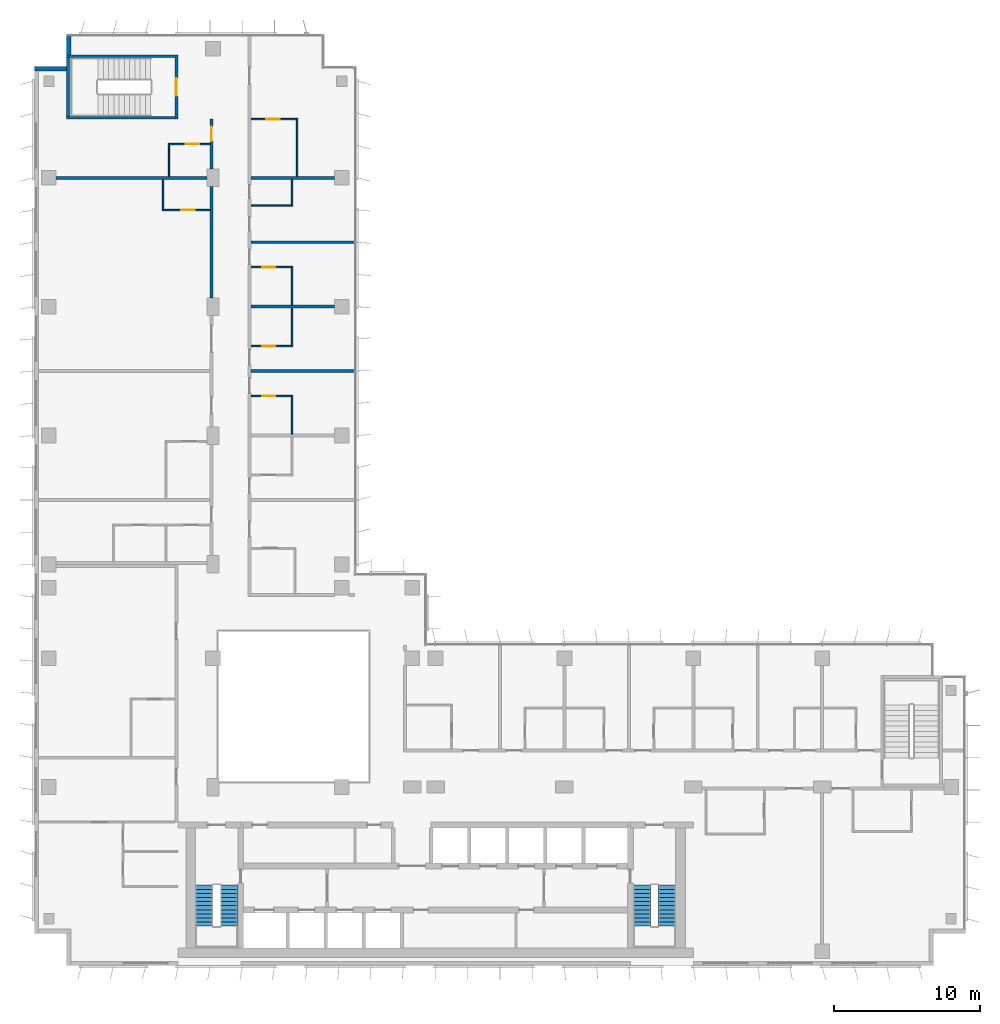
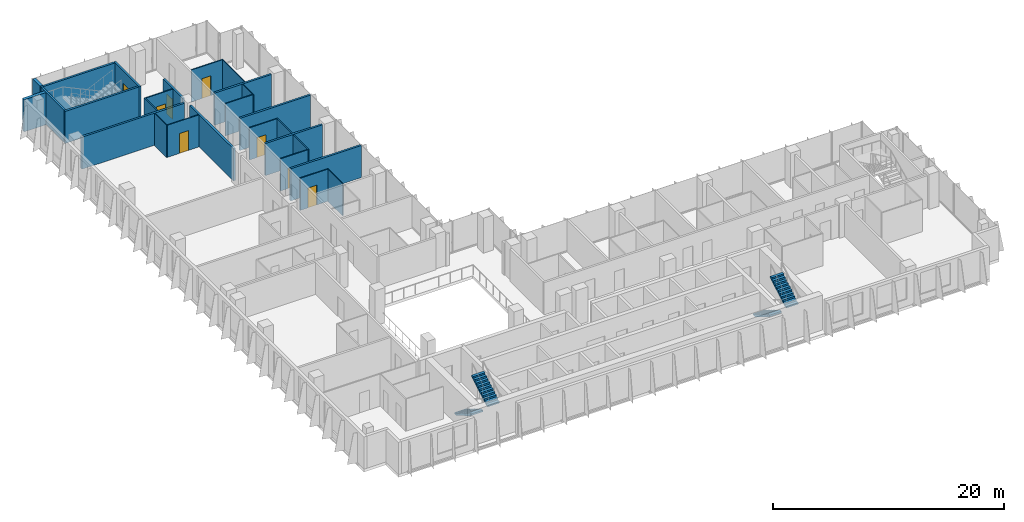
# One storey, part 17 of 21: 27 walls, 8 doors, 4 stair flights, 8 openings, 2 elements without a shape of their own.
"""IFC4 building model written with IfcOpenShell, lengths in metres."""

from ifc_helpers import new_model, si_unit, direction, frame, frame_2d, origin, place, context, subcontext, project, spatial, polyline, rectangle, outline, extrude, material, layer, layer_set, type_object, element, fill, aggregate, save


model = new_model("IFC4")

# Units and contexts
model_context = context("Model", 3, precision=1e-05, world=origin(), true_north=direction((0.0, 1.0)))
body_context = subcontext(model_context, "Body", "Model", "MODEL_VIEW")
ifc_project = project(units=[si_unit("LENGTHUNIT", "METRE"), si_unit("AREAUNIT", "SQUARE_METRE"), si_unit("VOLUMEUNIT", "CUBIC_METRE"), si_unit("PLANEANGLEUNIT", "RADIAN"), si_unit("MASSUNIT", "GRAM", prefix="KILO")], contexts=[model_context])

# Site, building, storey
site_placement = place(None, origin())
site = spatial("IfcSite", under=ifc_project, at=site_placement, CompositionType="ELEMENT")
building_placement = place(site_placement, origin())
building = spatial("IfcBuilding", under=site, at=building_placement, Name="Kemantara Hotel Tower", CompositionType="ELEMENT")
storey_placement = place(building_placement, frame((0.0, 0.0, 215.39990234375)))
storey = spatial("IfcBuildingStorey", under=building, at=storey_placement, Name="L53", CompositionType="ELEMENT", Elevation=215.39990234375)

# Walls
ifc_material_1 = material(Name="Bronze anodised aluminium cladding on insulated steel stud wall", Category="steel")
ifc_layer_1 = layer(ifc_material_1, 0.300048828125)
ifc_layer_set_1 = layer_set([ifc_layer_1], Name="Bronze anodised aluminium cladding on insulated steel stud wall")
wall_type_1 = type_object("IfcWallType", Name="BRONZE METAL-CLAD EXTERNAL WALL 300", PredefinedType="STANDARD", material=ifc_layer_set_1)
wall_1_placement = place(storey_placement, frame((2.35009765625, 63.449951171875, 0.0), z_axis=(0.0, 0.0, 1.0), x_axis=(0.0, -1.0, 0.0)))
element("IfcWall", 1, at=wall_1_placement, inside=storey, type_object=wall_type_1, Name="EXTERNAL WALL L53 T3-R03", PredefinedType="STANDARD", context=body_context, shape_type="SweptSolid", body=[
    extrude(rectangle(XDim=1.25, YDim=0.300048828125, at=frame_2d((0.625, 0.0))), origin(), (0.0, 0.0, 1.0), 3.400146484375),
])
wall_2_placement = place(storey_placement, frame((2.199951171875, 61.25, 0.0), z_axis=(0.0, 0.0, 1.0), x_axis=(-1.0, 0.0, 0.0)))
element("IfcWall", 2, at=wall_2_placement, inside=storey, type_object=wall_type_1, Name="EXTERNAL WALL L53 T3-R04", PredefinedType="STANDARD", context=body_context, shape_type="SweptSolid", body=[
    extrude(rectangle(XDim=2.199951171875, YDim=0.300048828125, at=frame_2d((1.10009765625, 0.0))), origin(), (0.0, 0.0, 1.0), 3.400146484375),
])
ifc_material_2 = material(Name="Gypsum board partition, steel studs and mineral wool, 200 mm", Category="steel")
ifc_layer_2 = layer(ifc_material_2, 0.199951171875)
ifc_layer_set_2 = layer_set([ifc_layer_2], Name="Gypsum board partition, steel studs and mineral wool, 200 mm")
wall_type_2 = type_object("IfcWallType", Name="CORRIDOR WALL 200", PredefinedType="PARTITIONING", material=ifc_layer_set_2)
wall_3_placement = place(storey_placement, frame((12.10009765625, 45.60009765625, 0.0), z_axis=(0.0, 0.0, 1.0), x_axis=(0.0, 1.0, 0.0)))
element("IfcWall", 3, at=wall_3_placement, inside=storey, type_object=wall_type_2, Name="CORRIDOR WALL 200 019", PredefinedType="PARTITIONING", context=body_context, shape_type="SweptSolid", body=[
    extrude(rectangle(XDim=7.599853515625, YDim=0.199951171875, at=frame_2d((3.7998046875, 0.0))), origin(), (0.0, 0.0, 1.0), 3.400146484375),
])

# Wall, opening, door
wall_4_placement = place(storey_placement, frame((12.10009765625, 54.400146484375, 0.0), z_axis=(0.0, 0.0, 1.0), x_axis=(0.0, 1.0, 0.0)))
wall_4 = element("IfcWall", 4, at=wall_4_placement, inside=storey, type_object=wall_type_2, Name="CORRIDOR WALL 200 020", PredefinedType="PARTITIONING", context=body_context, shape_type="SweptSolid", body=[
    extrude(rectangle(XDim=3.39990234375, YDim=0.199951171875, at=frame_2d((1.699951171875, 0.0))), origin(), (0.0, 0.0, 1.0), 3.400146484375),
])
opening_1_placement = place(wall_4_placement, frame((1.89990234375, 0.0, 0.0)))
opening_1 = element("IfcOpeningElement", 5, at=opening_1_placement, cuts=wall_4, Name="Opening F26-032", PredefinedType="OPENING", context=body_context, shape_type="SweptSolid", body=[
    extrude(rectangle(XDim=1.0, YDim=2.10009765625, at=frame_2d((0.5, 1.050048828125))), frame((0.0, 0.10986328125, 0.0), z_axis=(0.0, -1.0, 0.0), x_axis=(1.0, 0.0, 0.0)), (0.0, 0.0, 1.0), 0.219970703125),
])
ifc_material_3 = material(Name="Hardwood veneer door leaf with steel frame", Category="steel")
door_type_1 = type_object("IfcDoorType", Name="GUEST ROOM DOOR 1000 X 2100 FD30S", OperationType="NOTDEFINED", PredefinedType="DOOR", material=ifc_material_3)
door_1_placement = place(opening_1_placement, origin())
door_1 = element("IfcDoor", 6, at=door_1_placement, inside=storey, type_object=door_type_1, Name="GUEST ROOM DOOR F26-032", OperationType="SINGLE_SWING_RIGHT", OverallHeight=2.10009765625, OverallWidth=1.0, PredefinedType="DOOR", context=body_context, shape_type="SweptSolid", body=[
    extrude(rectangle(XDim=1.0, YDim=2.10009765625, at=frame_2d((0.5, 1.050048828125))), frame((0.0, 0.02490234375, 0.0), z_axis=(0.0, -1.0, 0.0), x_axis=(1.0, 0.0, 0.0)), (0.0, 0.0, 1.0), 0.050048828125),
])
fill(opening_1, door_1)

ifc_material_4 = material(Name="Concrete fc 40 MPa", Category="concrete")
ifc_layer_3 = layer(ifc_material_4, 0.199951171875)
ifc_layer_set_3 = layer_set([ifc_layer_3], Name="Concrete fc 40 MPa")
wall_type_3 = type_object("IfcWallType", Name="Concrete stair wall 200 mm", PredefinedType="SHEAR", material=ifc_layer_set_3)
wall_5_placement = place(storey_placement, frame((9.699951171875, 57.800048828125, 0.0), z_axis=(0.0, 0.0, 1.0), x_axis=(0.0, 1.0, 0.0)))
wall_5 = element("IfcWall", 7, at=wall_5_placement, inside=storey, type_object=wall_type_3, Name="Stair ST4 enclosure wall with door", PredefinedType="SHEAR", context=body_context, shape_type="SweptSolid", body=[
    extrude(rectangle(XDim=4.39990234375, YDim=0.199951171875, at=frame_2d((2.199951171875, 0.0))), origin(), (0.0, 0.0, 1.0), 3.400146484375),
])
opening_2_placement = place(wall_5_placement, frame((1.60009765625, 0.0, 0.0)))
opening_2 = element("IfcOpeningElement", 8, at=opening_2_placement, cuts=wall_5, Name="Opening ST4-C", PredefinedType="OPENING", context=body_context, shape_type="SweptSolid", body=[
    extrude(rectangle(XDim=1.199951171875, YDim=2.10009765625, at=frame_2d((0.60009765625, 1.050048828125))), frame((0.0, 0.10986328125, 0.0), z_axis=(0.0, -1.0, 0.0), x_axis=(1.0, 0.0, 0.0)), (0.0, 0.0, 1.0), 0.219970703125),
])
ifc_material_5 = material(Name="Steel fire door", Category="steel")
door_type_2 = type_object("IfcDoorType", Name="Fire door FD90 1200 x 2100", OperationType="NOTDEFINED", PredefinedType="DOOR", material=ifc_material_5)
door_2_placement = place(opening_2_placement, origin())
door_2 = element("IfcDoor", 9, at=door_2_placement, inside=storey, type_object=door_type_2, Name="Stair ST4 door", OperationType="SINGLE_SWING_RIGHT", OverallHeight=2.10009765625, OverallWidth=1.199951171875, PredefinedType="DOOR", context=body_context, shape_type="SweptSolid", body=[
    extrude(rectangle(XDim=1.199951171875, YDim=2.10009765625, at=frame_2d((0.60009765625, 1.050048828125))), frame((0.0, 0.02490234375, 0.0), z_axis=(0.0, -1.0, 0.0), x_axis=(1.0, 0.0, 0.0)), (0.0, 0.0, 1.0), 0.050048828125),
])
fill(opening_2, door_2)

# Walls
for number, where, z_axis, x_axis, name in (
    (10, (2.199951171875, 62.10009765625, 0.0), (0.0, 0.0, 1.0), (1.0, 0.0, 0.0), "Stair ST4 enclosure wall N"),
    (11, (2.199951171875, 57.89990234375, 0.0), (0.0, 0.0, 1.0), (1.0, 0.0, 0.0), "Stair ST4 enclosure wall S"),
):
    element("IfcWall", number, at=place(storey_placement, frame(where, z_axis=z_axis, x_axis=x_axis)), inside=storey, type_object=wall_type_3, Name=name, PredefinedType="SHEAR", context=body_context, shape_type="SweptSolid", body=[
        extrude(rectangle(XDim=7.400146484375, YDim=0.199951171875, at=frame_2d((3.7001953125, 0.0))), origin(), (0.0, 0.0, 1.0), 3.400146484375),
    ])
wall_6_placement = place(storey_placement, frame((2.300048828125, 58.0, 0.0), z_axis=(0.0, 0.0, 1.0), x_axis=(0.0, 1.0, 0.0)))
element("IfcWall", 12, at=wall_6_placement, inside=storey, type_object=wall_type_3, Name="Stair ST4 enclosure wall W", PredefinedType="SHEAR", context=body_context, shape_type="SweptSolid", body=[
    extrude(rectangle(XDim=4.0, YDim=0.199951171875, at=frame_2d((2.0, 0.0))), origin(), (0.0, 0.0, 1.0), 3.400146484375),
])
ifc_layer_4 = layer(ifc_material_2, 0.199951171875)
ifc_layer_set_4 = layer_set([ifc_layer_4], Name="Gypsum board partition, steel studs and mineral wool, 200 mm")
wall_type_4 = type_object("IfcWallType", Name="GUEST ROOM PARTY WALL 200", PredefinedType="PARTITIONING", material=ifc_layer_set_4)
wall_7_placement = place(storey_placement, frame((14.800048828125, 40.60009765625, 0.0), z_axis=(0.0, 0.0, 1.0), x_axis=(1.0, 0.0, 0.0)))
element("IfcWall", 13, at=wall_7_placement, inside=storey, type_object=wall_type_4, Name="GUEST ROOM PARTY WALL 200 025", PredefinedType="PARTITIONING", context=body_context, shape_type="SweptSolid", body=[
    extrude(rectangle(XDim=7.070068359375, YDim=0.199951171875, at=frame_2d((3.53515625, 0.0))), origin(), (0.0, 0.0, 1.0), 3.400146484375),
])
wall_8_placement = place(storey_placement, frame((1.5, 53.800048828125, 0.0), z_axis=(0.0, 0.0, 1.0), x_axis=(1.0, 0.0, 0.0)))
element("IfcWall", 14, at=wall_8_placement, inside=storey, type_object=wall_type_4, Name="GUEST ROOM PARTY WALL 200 026", PredefinedType="PARTITIONING", context=body_context, shape_type="SweptSolid", body=[
    extrude(rectangle(XDim=10.2998046875, YDim=0.199951171875, at=frame_2d((5.14990234375, 0.0))), origin(), (0.0, 0.0, 1.0), 3.400146484375),
])
for number, where, z_axis, x_axis, name in (
    (15, (14.800048828125, 53.800048828125, 0.0), (0.0, 0.0, 1.0), (1.0, 0.0, 0.0), "GUEST ROOM PARTY WALL 200 027"),
    (16, (14.800048828125, 45.0, 0.0), (0.0, 0.0, 1.0), (1.0, 0.0, 0.0), "GUEST ROOM PARTY WALL 200 032"),
):
    element("IfcWall", number, at=place(storey_placement, frame(where, z_axis=z_axis, x_axis=x_axis)), inside=storey, type_object=wall_type_4, Name=name, PredefinedType="PARTITIONING", context=body_context, shape_type="SweptSolid", body=[
        extrude(rectangle(XDim=5.699951171875, YDim=0.199951171875, at=frame_2d((2.85009765625, 0.0))), origin(), (0.0, 0.0, 1.0), 3.400146484375),
    ])
wall_9_placement = place(storey_placement, frame((14.800048828125, 49.39990234375, 0.0), z_axis=(0.0, 0.0, 1.0), x_axis=(1.0, 0.0, 0.0)))
element("IfcWall", 17, at=wall_9_placement, inside=storey, type_object=wall_type_4, Name="GUEST ROOM PARTY WALL 200 033", PredefinedType="PARTITIONING", context=body_context, shape_type="SweptSolid", body=[
    extrude(rectangle(XDim=7.070068359375, YDim=0.199951171875, at=frame_2d((3.53515625, 0.0))), origin(), (0.0, 0.0, 1.0), 3.400146484375),
])
ifc_material_6 = material(Name="Gypsum board partition on steel studs, 100 mm", Category="steel")
ifc_layer_5 = layer(ifc_material_6, 0.10009765625)
ifc_layer_set_5 = layer_set([ifc_layer_5], Name="Gypsum board partition on steel studs, 100 mm")
wall_type_5 = type_object("IfcWallType", Name="ROOM PARTITION 100", PredefinedType="PARTITIONING", material=ifc_layer_set_5)
wall_10_placement = place(storey_placement, frame((8.800048828125, 51.550048828125, 0.0), z_axis=(0.0, 0.0, 1.0), x_axis=(0.0, 1.0, 0.0)))
element("IfcWall", 18, at=wall_10_placement, inside=storey, type_object=wall_type_5, Name="ROOM PARTITION 100 065", PredefinedType="PARTITIONING", context=body_context, shape_type="SweptSolid", body=[
    extrude(rectangle(XDim=2.14990234375, YDim=0.10009765625, at=frame_2d((1.074951171875, 0.0))), origin(), (0.0, 0.0, 1.0), 3.400146484375),
])

# Wall, opening, door
wall_11_placement = place(storey_placement, frame((8.85009765625, 51.60009765625, 0.0), z_axis=(0.0, 0.0, 1.0), x_axis=(1.0, 0.0, 0.0)))
wall_11 = element("IfcWall", 19, at=wall_11_placement, inside=storey, type_object=wall_type_5, Name="ROOM PARTITION 100 066", PredefinedType="PARTITIONING", context=body_context, shape_type="SweptSolid", body=[
    extrude(rectangle(XDim=3.14990234375, YDim=0.10009765625, at=frame_2d((1.574951171875, 0.0))), origin(), (0.0, 0.0, 1.0), 3.400146484375),
])
opening_3_placement = place(wall_11_placement, frame((1.199951171875, 0.0, 0.0)))
opening_3 = element("IfcOpeningElement", 20, at=opening_3_placement, cuts=wall_11, Name="Opening F26-031", PredefinedType="OPENING", context=body_context, shape_type="SweptSolid", body=[
    extrude(rectangle(XDim=0.89990234375, YDim=2.10009765625, at=frame_2d((0.449951171875, 1.050048828125))), frame((0.0, 0.06005859375, 0.0), z_axis=(0.0, -1.0, 0.0), x_axis=(1.0, 0.0, 0.0)), (0.0, 0.0, 1.0), 0.1201171875),
])
door_type_3 = type_object("IfcDoorType", Name="PANTRY DOOR 900 X 2100", OperationType="NOTDEFINED", PredefinedType="DOOR", material=ifc_material_3)
door_3_placement = place(opening_3_placement, origin())
door_3 = element("IfcDoor", 21, at=door_3_placement, inside=storey, type_object=door_type_3, Name="PANTRY DOOR F26-031", OperationType="SINGLE_SWING_RIGHT", OverallHeight=2.10009765625, OverallWidth=0.89990234375, PredefinedType="DOOR", context=body_context, shape_type="SweptSolid", body=[
    extrude(rectangle(XDim=0.89990234375, YDim=2.10009765625, at=frame_2d((0.449951171875, 1.050048828125))), frame((0.0, 0.02490234375, 0.0), z_axis=(0.0, -1.0, 0.0), x_axis=(1.0, 0.0, 0.0)), (0.0, 0.0, 1.0), 0.050048828125),
])
fill(opening_3, door_3)

# Wall
wall_12_placement = place(storey_placement, frame((9.199951171875, 53.89990234375, 0.0), z_axis=(0.0, 0.0, 1.0), x_axis=(0.0, 1.0, 0.0)))
element("IfcWall", 22, at=wall_12_placement, inside=storey, type_object=wall_type_5, Name="ROOM PARTITION 100 067", PredefinedType="PARTITIONING", context=body_context, shape_type="SweptSolid", body=[
    extrude(rectangle(XDim=2.25, YDim=0.10009765625, at=frame_2d((1.125, 0.0))), origin(), (0.0, 0.0, 1.0), 3.400146484375),
])

# Wall, opening, door
wall_13_placement = place(storey_placement, frame((12.0, 56.10009765625, 0.0), z_axis=(0.0, 0.0, 1.0), x_axis=(-1.0, 0.0, 0.0)))
wall_13 = element("IfcWall", 23, at=wall_13_placement, inside=storey, type_object=wall_type_5, Name="ROOM PARTITION 100 068", PredefinedType="PARTITIONING", context=body_context, shape_type="SweptSolid", body=[
    extrude(rectangle(XDim=2.75, YDim=0.10009765625, at=frame_2d((1.375, 0.0))), origin(), (0.0, 0.0, 1.0), 3.400146484375),
])
opening_4_placement = place(wall_13_placement, frame((0.75, 0.0, 0.0)))
opening_4 = element("IfcOpeningElement", 24, at=opening_4_placement, cuts=wall_13, Name="Opening F26-033", PredefinedType="OPENING", context=body_context, shape_type="SweptSolid", body=[
    extrude(rectangle(XDim=0.89990234375, YDim=2.10009765625, at=frame_2d((0.449951171875, 1.050048828125))), frame((0.0, 0.06005859375, 0.0), z_axis=(0.0, -1.0, 0.0), x_axis=(1.0, 0.0, 0.0)), (0.0, 0.0, 1.0), 0.1201171875),
])
door_type_4 = type_object("IfcDoorType", Name="BATHROOM DOOR 900 X 2100", OperationType="NOTDEFINED", PredefinedType="DOOR", material=ifc_material_3)
door_4_placement = place(opening_4_placement, origin())
door_4 = element("IfcDoor", 25, at=door_4_placement, inside=storey, type_object=door_type_4, Name="BATHROOM DOOR F26-033", OperationType="SINGLE_SWING_LEFT", OverallHeight=2.10009765625, OverallWidth=0.89990234375, PredefinedType="DOOR", context=body_context, shape_type="SweptSolid", body=[
    extrude(rectangle(XDim=0.89990234375, YDim=2.10009765625, at=frame_2d((0.449951171875, 1.050048828125))), frame((0.0, 0.02490234375, 0.0), z_axis=(0.0, -1.0, 0.0), x_axis=(1.0, 0.0, 0.0)), (0.0, 0.0, 1.0), 0.050048828125),
])
fill(opening_4, door_4)

# Walls
for number, where, z_axis, x_axis, name in (
    (26, (17.60009765625, 36.300048828125, 0.0), (0.0, 0.0, 1.0), (0.0, 1.0, 0.0), "ROOM PARTITION 100 072"),
    (27, (17.60009765625, 42.25, 0.0), (0.0, 0.0, 1.0), (0.0, 1.0, 0.0), "ROOM PARTITION 100 073"),
    (28, (17.60009765625, 45.10009765625, 0.0), (0.0, 0.0, 1.0), (0.0, 1.0, 0.0), "ROOM PARTITION 100 074"),
):
    element("IfcWall", number, at=place(storey_placement, frame(where, z_axis=z_axis, x_axis=x_axis)), inside=storey, type_object=wall_type_5, Name=name, PredefinedType="PARTITIONING", context=body_context, shape_type="SweptSolid", body=[
        extrude(rectangle(XDim=2.64990234375, YDim=0.10009765625, at=frame_2d((1.324951171875, 0.0))), origin(), (0.0, 0.0, 1.0), 3.400146484375),
    ])
wall_14_placement = place(storey_placement, frame((17.60009765625, 51.85009765625, 0.0), z_axis=(0.0, 0.0, 1.0), x_axis=(0.0, 1.0, 0.0)))
element("IfcWall", 29, at=wall_14_placement, inside=storey, type_object=wall_type_5, Name="ROOM PARTITION 100 075", PredefinedType="PARTITIONING", context=body_context, shape_type="SweptSolid", body=[
    extrude(rectangle(XDim=1.849853515625, YDim=0.10009765625, at=frame_2d((0.9248046875, 0.0))), origin(), (0.0, 0.0, 1.0), 3.400146484375),
])

# Wall, opening, door
wall_15_placement = place(storey_placement, frame((17.550048828125, 38.89990234375, 0.0), z_axis=(0.0, 0.0, 1.0), x_axis=(-1.0, 0.0, 0.0)))
wall_15 = element("IfcWall", 30, at=wall_15_placement, inside=storey, type_object=wall_type_5, Name="ROOM PARTITION 100 077", PredefinedType="PARTITIONING", context=body_context, shape_type="SweptSolid", body=[
    extrude(rectangle(XDim=2.75, YDim=0.10009765625, at=frame_2d((1.375, 0.0))), origin(), (0.0, 0.0, 1.0), 3.400146484375),
])
opening_5_placement = place(wall_15_placement, frame((1.10009765625, 0.0, 0.0)))
opening_5 = element("IfcOpeningElement", 31, at=opening_5_placement, cuts=wall_15, Name="Opening F26-039", PredefinedType="OPENING", context=body_context, shape_type="SweptSolid", body=[
    extrude(rectangle(XDim=0.89990234375, YDim=2.10009765625, at=frame_2d((0.449951171875, 1.050048828125))), frame((0.0, 0.06005859375, 0.0), z_axis=(0.0, -1.0, 0.0), x_axis=(1.0, 0.0, 0.0)), (0.0, 0.0, 1.0), 0.1201171875),
])
door_5_placement = place(opening_5_placement, origin())
door_5 = element("IfcDoor", 32, at=door_5_placement, inside=storey, type_object=door_type_4, Name="BATHROOM DOOR F26-039", OperationType="SINGLE_SWING_RIGHT", OverallHeight=2.10009765625, OverallWidth=0.89990234375, PredefinedType="DOOR", context=body_context, shape_type="SweptSolid", body=[
    extrude(rectangle(XDim=0.89990234375, YDim=2.10009765625, at=frame_2d((0.449951171875, 1.050048828125))), frame((0.0, 0.02490234375, 0.0), z_axis=(0.0, -1.0, 0.0), x_axis=(1.0, 0.0, 0.0)), (0.0, 0.0, 1.0), 0.050048828125),
])
fill(opening_5, door_5)

wall_16_placement = place(storey_placement, frame((14.800048828125, 42.300048828125, 0.0), z_axis=(0.0, 0.0, 1.0), x_axis=(1.0, 0.0, 0.0)))
wall_16 = element("IfcWall", 33, at=wall_16_placement, inside=storey, type_object=wall_type_5, Name="ROOM PARTITION 100 078", PredefinedType="PARTITIONING", context=body_context, shape_type="SweptSolid", body=[
    extrude(rectangle(XDim=2.75, YDim=0.10009765625, at=frame_2d((1.375, 0.0))), origin(), (0.0, 0.0, 1.0), 3.400146484375),
])
opening_6_placement = place(wall_16_placement, frame((0.75, 0.0, 0.0)))
opening_6 = element("IfcOpeningElement", 34, at=opening_6_placement, cuts=wall_16, Name="Opening F26-041", PredefinedType="OPENING", context=body_context, shape_type="SweptSolid", body=[
    extrude(rectangle(XDim=0.89990234375, YDim=2.10009765625, at=frame_2d((0.449951171875, 1.050048828125))), frame((0.0, 0.06005859375, 0.0), z_axis=(0.0, -1.0, 0.0), x_axis=(1.0, 0.0, 0.0)), (0.0, 0.0, 1.0), 0.1201171875),
])
door_6_placement = place(opening_6_placement, origin())
door_6 = element("IfcDoor", 35, at=door_6_placement, inside=storey, type_object=door_type_4, Name="BATHROOM DOOR F26-041", OperationType="SINGLE_SWING_LEFT", OverallHeight=2.10009765625, OverallWidth=0.89990234375, PredefinedType="DOOR", context=body_context, shape_type="SweptSolid", body=[
    extrude(rectangle(XDim=0.89990234375, YDim=2.10009765625, at=frame_2d((0.449951171875, 1.050048828125))), frame((0.0, 0.02490234375, 0.0), z_axis=(0.0, -1.0, 0.0), x_axis=(1.0, 0.0, 0.0)), (0.0, 0.0, 1.0), 0.050048828125),
])
fill(opening_6, door_6)

wall_17_placement = place(storey_placement, frame((17.550048828125, 47.699951171875, 0.0), z_axis=(0.0, 0.0, 1.0), x_axis=(-1.0, 0.0, 0.0)))
wall_17 = element("IfcWall", 36, at=wall_17_placement, inside=storey, type_object=wall_type_5, Name="ROOM PARTITION 100 079", PredefinedType="PARTITIONING", context=body_context, shape_type="SweptSolid", body=[
    extrude(rectangle(XDim=2.75, YDim=0.10009765625, at=frame_2d((1.375, 0.0))), origin(), (0.0, 0.0, 1.0), 3.400146484375),
])
opening_7_placement = place(wall_17_placement, frame((1.10009765625, 0.0, 0.0)))
opening_7 = element("IfcOpeningElement", 37, at=opening_7_placement, cuts=wall_17, Name="Opening F26-043", PredefinedType="OPENING", context=body_context, shape_type="SweptSolid", body=[
    extrude(rectangle(XDim=0.89990234375, YDim=2.10009765625, at=frame_2d((0.449951171875, 1.050048828125))), frame((0.0, 0.06005859375, 0.0), z_axis=(0.0, -1.0, 0.0), x_axis=(1.0, 0.0, 0.0)), (0.0, 0.0, 1.0), 0.1201171875),
])
door_7_placement = place(opening_7_placement, origin())
door_7 = element("IfcDoor", 38, at=door_7_placement, inside=storey, type_object=door_type_4, Name="BATHROOM DOOR F26-043", OperationType="SINGLE_SWING_RIGHT", OverallHeight=2.10009765625, OverallWidth=0.89990234375, PredefinedType="DOOR", context=body_context, shape_type="SweptSolid", body=[
    extrude(rectangle(XDim=0.89990234375, YDim=2.10009765625, at=frame_2d((0.449951171875, 1.050048828125))), frame((0.0, 0.02490234375, 0.0), z_axis=(0.0, -1.0, 0.0), x_axis=(1.0, 0.0, 0.0)), (0.0, 0.0, 1.0), 0.050048828125),
])
fill(opening_7, door_7)

# Walls
wall_18_placement = place(storey_placement, frame((14.800048828125, 51.89990234375, 0.0), z_axis=(0.0, 0.0, 1.0), x_axis=(1.0, 0.0, 0.0)))
element("IfcWall", 39, at=wall_18_placement, inside=storey, type_object=wall_type_5, Name="ROOM PARTITION 100 080", PredefinedType="PARTITIONING", context=body_context, shape_type="SweptSolid", body=[
    extrude(rectangle(XDim=2.75, YDim=0.10009765625, at=frame_2d((1.375, 0.0))), origin(), (0.0, 0.0, 1.0), 3.400146484375),
])
wall_19_placement = place(storey_placement, frame((17.949951171875, 53.89990234375, 0.0), z_axis=(0.0, 0.0, 1.0), x_axis=(0.0, 1.0, 0.0)))
element("IfcWall", 40, at=wall_19_placement, inside=storey, type_object=wall_type_5, Name="ROOM PARTITION 100 081", PredefinedType="PARTITIONING", context=body_context, shape_type="SweptSolid", body=[
    extrude(rectangle(XDim=3.9501953125, YDim=0.10009765625, at=frame_2d((1.97509765625, 0.0))), origin(), (0.0, 0.0, 1.0), 3.400146484375),
])

# Wall, opening, door
wall_20_placement = place(storey_placement, frame((17.89990234375, 57.800048828125, 0.0), z_axis=(0.0, 0.0, 1.0), x_axis=(-1.0, 0.0, 0.0)))
wall_20 = element("IfcWall", 41, at=wall_20_placement, inside=storey, type_object=wall_type_5, Name="ROOM PARTITION 100 082", PredefinedType="PARTITIONING", context=body_context, shape_type="SweptSolid", body=[
    extrude(rectangle(XDim=3.099853515625, YDim=0.10009765625, at=frame_2d((1.5498046875, 0.0))), origin(), (0.0, 0.0, 1.0), 3.400146484375),
])
opening_8_placement = place(wall_20_placement, frame((1.14990234375, 0.0, 0.0)))
opening_8 = element("IfcOpeningElement", 42, at=opening_8_placement, cuts=wall_20, Name="Opening F26-047", PredefinedType="OPENING", context=body_context, shape_type="SweptSolid", body=[
    extrude(rectangle(XDim=0.89990234375, YDim=2.10009765625, at=frame_2d((0.449951171875, 1.050048828125))), frame((0.0, 0.06005859375, 0.0), z_axis=(0.0, -1.0, 0.0), x_axis=(1.0, 0.0, 0.0)), (0.0, 0.0, 1.0), 0.1201171875),
])
door_8_placement = place(opening_8_placement, origin())
door_8 = element("IfcDoor", 43, at=door_8_placement, inside=storey, type_object=door_type_4, Name="BATHROOM DOOR F26-047", OperationType="SINGLE_SWING_RIGHT", OverallHeight=2.10009765625, OverallWidth=0.89990234375, PredefinedType="DOOR", context=body_context, shape_type="SweptSolid", body=[
    extrude(rectangle(XDim=0.89990234375, YDim=2.10009765625, at=frame_2d((0.449951171875, 1.050048828125))), frame((0.0, 0.02490234375, 0.0), z_axis=(0.0, -1.0, 0.0), x_axis=(1.0, 0.0, 0.0)), (0.0, 0.0, 1.0), 0.050048828125),
])
fill(opening_8, door_8)

# Stair, stair flights
stair_type = type_object("IfcStairType", Name="Stair 1200 wide 22 risers of 168 x 280 mm", PredefinedType="HALF_TURN_STAIR", material=ifc_material_4)
stair_1_placement = place(storey_placement, origin())
stair_1 = element("IfcStair", 44, at=stair_1_placement, inside=storey, type_object=stair_type, Name="L53 Exit stair ST1", PredefinedType="HALF_TURN_STAIR")
stair_flight_type = type_object("IfcStairFlightType", Name="Stair flight 1200 wide 168 x 280 mm", PredefinedType="STRAIGHT", material=ifc_material_4)
stair_flight_1_placement = place(storey_placement, frame((11.60009765625, 5.5, 0.0), z_axis=(0.0, 0.0, 1.0), x_axis=(0.0, -1.0, 0.0)))
stair_flight_1 = element("IfcStairFlight", 45, at=stair_flight_1_placement, type_object=stair_flight_type, Name="ST1 flight 1", NumberOfRisers=11, NumberOfTreads=10, PredefinedType="STRAIGHT", RiserHeight=0.168181818, TreadLength=0.28, context=body_context, shape_type="SweptSolid", body=[
    extrude(outline(polyline([(0.0, 0.0), (0.0, 0.168212890625), (0.280029296875, 0.168212890625), (0.280029296875, 0.33642578125), (0.56005859375, 0.33642578125), (0.56005859375, 0.504638671875), (0.840087890625, 0.504638671875), (0.840087890625, 0.672607421875), (1.1201171875, 0.672607421875), (1.1201171875, 0.8408203125), (1.39990234375, 0.8408203125), (1.39990234375, 1.009033203125), (1.679931640625, 1.009033203125), (1.679931640625, 1.17724609375), (1.9599609375, 1.17724609375), (1.9599609375, 1.345458984375), (2.239990234375, 1.345458984375), (2.239990234375, 1.513671875), (2.52001953125, 1.513671875), (2.52001953125, 1.681884765625), (2.800048828125, 1.681884765625), (2.800048828125, 1.85009765625), (2.800048828125, 1.5068359375), (0.291015625, 0.0), (0.0, 0.0)])), frame((0.0, 0.60009765625, 0.0), z_axis=(0.0, -1.0, 0.0), x_axis=(1.0, 0.0, 0.0)), (0.0, 0.0, 1.0), 1.199951171875),
])
stair_flight_2_placement = place(storey_placement, frame((13.300048828125, 2.699951171875, 1.85009765625), z_axis=(0.0, 0.0, 1.0), x_axis=(0.0, 1.0, 0.0)))
stair_flight_2 = element("IfcStairFlight", 46, at=stair_flight_2_placement, type_object=stair_flight_type, Name="ST1 flight 2", NumberOfRisers=11, NumberOfTreads=10, PredefinedType="STRAIGHT", RiserHeight=0.168181818, TreadLength=0.28, context=body_context, shape_type="SweptSolid", body=[
    extrude(outline(polyline([(0.0, 0.0), (0.0, 0.168212890625), (0.280029296875, 0.168212890625), (0.280029296875, 0.33642578125), (0.56005859375, 0.33642578125), (0.56005859375, 0.504638671875), (0.840087890625, 0.504638671875), (0.840087890625, 0.672607421875), (1.1201171875, 0.672607421875), (1.1201171875, 0.8408203125), (1.39990234375, 0.8408203125), (1.39990234375, 1.009033203125), (1.679931640625, 1.009033203125), (1.679931640625, 1.17724609375), (1.9599609375, 1.17724609375), (1.9599609375, 1.345458984375), (2.239990234375, 1.345458984375), (2.239990234375, 1.513671875), (2.52001953125, 1.513671875), (2.52001953125, 1.681884765625), (2.800048828125, 1.681884765625), (2.800048828125, 1.85009765625), (2.800048828125, 1.5068359375), (0.291015625, 0.0), (0.0, 0.0)])), frame((0.0, 0.60009765625, 0.0), z_axis=(0.0, -1.0, 0.0), x_axis=(1.0, 0.0, 0.0)), (0.0, 0.0, 1.0), 1.199951171875),
])
aggregate(stair_1, [stair_flight_1, stair_flight_2])

stair_2_placement = place(storey_placement, origin())
stair_2 = element("IfcStair", 47, at=stair_2_placement, inside=storey, type_object=stair_type, Name="L53 Exit stair ST2", PredefinedType="HALF_TURN_STAIR")
stair_flight_3_placement = place(storey_placement, frame((41.5, 5.5, 0.0), z_axis=(0.0, 0.0, 1.0), x_axis=(0.0, -1.0, 0.0)))
stair_flight_3 = element("IfcStairFlight", 48, at=stair_flight_3_placement, type_object=stair_flight_type, Name="ST2 flight 1", NumberOfRisers=11, NumberOfTreads=10, PredefinedType="STRAIGHT", RiserHeight=0.168181818, TreadLength=0.28, context=body_context, shape_type="SweptSolid", body=[
    extrude(outline(polyline([(0.0, 0.0), (0.0, 0.168212890625), (0.280029296875, 0.168212890625), (0.280029296875, 0.33642578125), (0.56005859375, 0.33642578125), (0.56005859375, 0.504638671875), (0.840087890625, 0.504638671875), (0.840087890625, 0.672607421875), (1.1201171875, 0.672607421875), (1.1201171875, 0.8408203125), (1.39990234375, 0.8408203125), (1.39990234375, 1.009033203125), (1.679931640625, 1.009033203125), (1.679931640625, 1.17724609375), (1.9599609375, 1.17724609375), (1.9599609375, 1.345458984375), (2.239990234375, 1.345458984375), (2.239990234375, 1.513671875), (2.52001953125, 1.513671875), (2.52001953125, 1.681884765625), (2.800048828125, 1.681884765625), (2.800048828125, 1.85009765625), (2.800048828125, 1.5068359375), (0.291015625, 0.0), (0.0, 0.0)])), frame((0.0, 0.60009765625, 0.0), z_axis=(0.0, -1.0, 0.0), x_axis=(1.0, 0.0, 0.0)), (0.0, 0.0, 1.0), 1.199951171875),
])
stair_flight_4_placement = place(storey_placement, frame((43.199951171875, 2.699951171875, 1.85009765625), z_axis=(0.0, 0.0, 1.0), x_axis=(0.0, 1.0, 0.0)))
stair_flight_4 = element("IfcStairFlight", 49, at=stair_flight_4_placement, type_object=stair_flight_type, Name="ST2 flight 2", NumberOfRisers=11, NumberOfTreads=10, PredefinedType="STRAIGHT", RiserHeight=0.168181818, TreadLength=0.28, context=body_context, shape_type="SweptSolid", body=[
    extrude(outline(polyline([(0.0, 0.0), (0.0, 0.168212890625), (0.280029296875, 0.168212890625), (0.280029296875, 0.33642578125), (0.56005859375, 0.33642578125), (0.56005859375, 0.504638671875), (0.840087890625, 0.504638671875), (0.840087890625, 0.672607421875), (1.1201171875, 0.672607421875), (1.1201171875, 0.8408203125), (1.39990234375, 0.8408203125), (1.39990234375, 1.009033203125), (1.679931640625, 1.009033203125), (1.679931640625, 1.17724609375), (1.9599609375, 1.17724609375), (1.9599609375, 1.345458984375), (2.239990234375, 1.345458984375), (2.239990234375, 1.513671875), (2.52001953125, 1.513671875), (2.52001953125, 1.681884765625), (2.800048828125, 1.681884765625), (2.800048828125, 1.85009765625), (2.800048828125, 1.5068359375), (0.291015625, 0.0), (0.0, 0.0)])), frame((0.0, 0.60009765625, 0.0), z_axis=(0.0, -1.0, 0.0), x_axis=(1.0, 0.0, 0.0)), (0.0, 0.0, 1.0), 1.199951171875),
])
aggregate(stair_2, [stair_flight_3, stair_flight_4])

save(model, "model.ifc")
